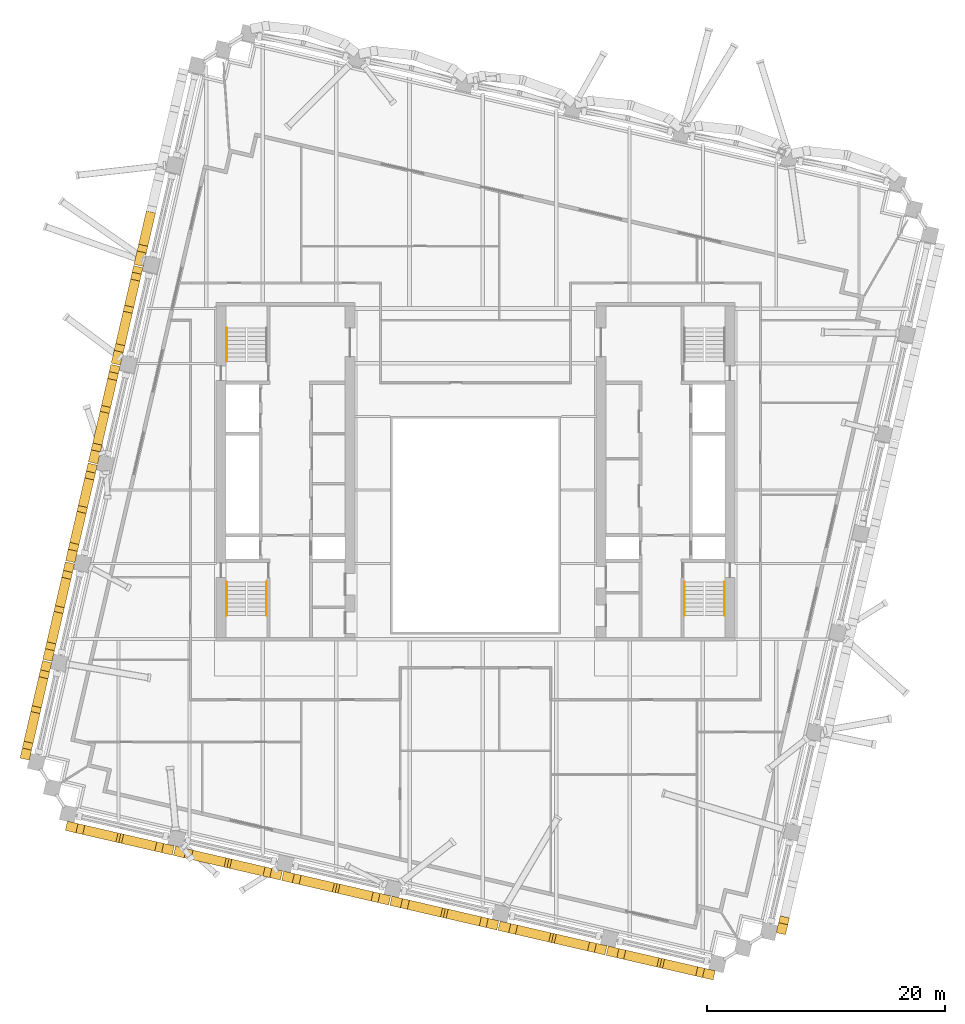
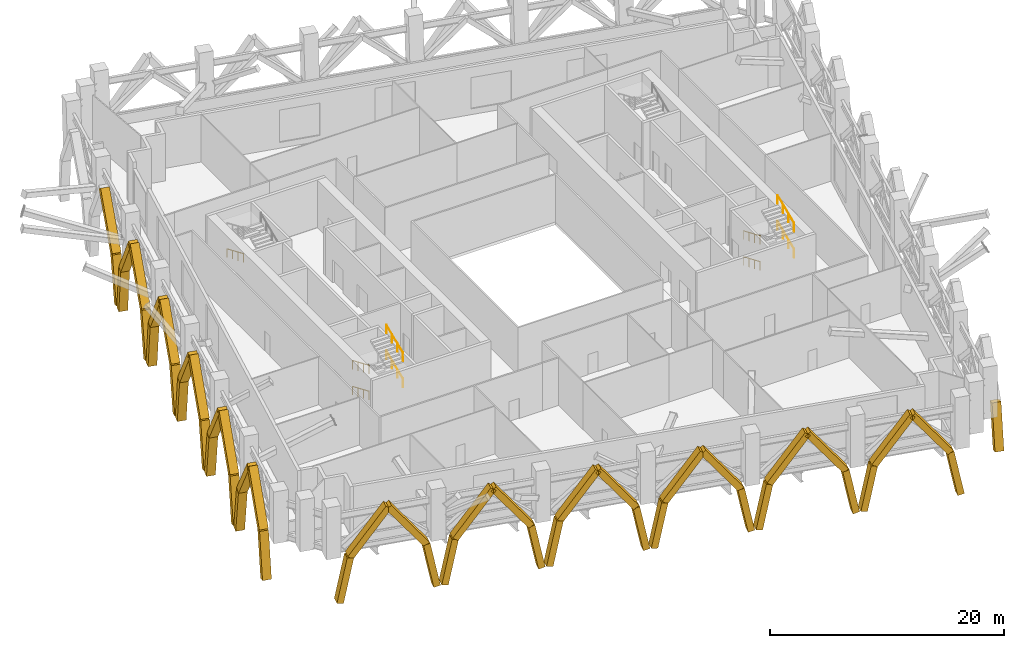
# One storey, part 18 of 20: 47 coverings, 9 railings.
"""IFC4 building model written with IfcOpenShell, lengths in metres."""

import ifcopenshell
import ifcopenshell.guid

model = None  # the IFC model being written
_history = None  # IfcOwnerHistory: only IFC2X3 demands one
_inside = {}  # id of a spatial element -> (the spatial element, [elements in it])
_under = {}  # id of a project, library or spatial element -> (it, [spatial elements below it])
_declared = {}  # id of a project -> (the project, [libraries it declares])
_typed = {}  # id of a type object -> (the type object, [elements of that type])
_made_of = {}  # id of a material, layer set ... -> (it, [elements and type objects made of it])


def new_model(schema):
    """Start an empty IFC model of exactly this schema.

    Asked for "IFC4X3", IfcOpenShell would pick the latest addendum, in which some entities
    have other attributes; the version numbers below select the first issue.
    IFC2X3 requires an IfcOwnerHistory on every rooted entity: one is made here for all.
    """
    global model, _history
    if schema == "IFC4X3":
        model = ifcopenshell.file(schema_version=(4, 3, 0, 0))
    else:
        model = ifcopenshell.file(schema=schema)
    _inside.clear()
    _under.clear()
    _declared.clear()
    _typed.clear()
    _made_of.clear()
    _history = None
    if model.schema == "IFC2X3":
        org = make("IfcOrganization", Name="unknown")
        user = make(
            "IfcPersonAndOrganization",
            ThePerson=make("IfcPerson", FamilyName="unknown"),
            TheOrganization=org,
        )
        app = make(
            "IfcApplication",
            ApplicationDeveloper=org,
            Version="unknown",
            ApplicationFullName="unknown",
            ApplicationIdentifier="unknown",
        )
        _history = make(
            "IfcOwnerHistory",
            OwningUser=user,
            OwningApplication=app,
            ChangeAction="ADDED",
            CreationDate=0,
        )
    return model


def make(cls, **values):
    """One entity of the class cls with the attributes given. An attribute that is None is left unset."""
    return model.create_entity(
        cls, **{name: value for name, value in values.items() if value is not None}
    )


def rooted(cls, **values):
    """An entity with a GlobalId (a new one), such as an element, a storey or a relation."""
    return make(cls, GlobalId=ifcopenshell.guid.new(), OwnerHistory=_history, **values)


def si_unit(unit_type, name, prefix=None):
    """IfcSIUnit, for example si_unit("LENGTHUNIT", "METRE", prefix="MILLI")."""
    return make("IfcSIUnit", UnitType=unit_type, Prefix=prefix, Name=name)


def assignment(units):
    """IfcUnitAssignment: the units of a project."""
    return None if units is None else make("IfcUnitAssignment", Units=units)


def point(xyz):
    """IfcCartesianPoint."""
    return None if xyz is None else make("IfcCartesianPoint", Coordinates=xyz)


def direction(xyz):
    """IfcDirection."""
    return None if xyz is None else make("IfcDirection", DirectionRatios=xyz)


def frame(location, z_axis=None, x_axis=None):
    """IfcAxis2Placement3D, a coordinate frame: its origin and axes. An axis left out is left unset."""
    return make(
        "IfcAxis2Placement3D",
        Location=point(location),
        Axis=direction(z_axis),
        RefDirection=direction(x_axis),
    )


def frame_2d(location, x_axis=None):
    """IfcAxis2Placement2D, a coordinate frame in the plane: its origin and x axis."""
    return make(
        "IfcAxis2Placement2D", Location=point(location), RefDirection=direction(x_axis)
    )


def origin():
    """The frame at (0, 0, 0) with its axes left unset."""
    return frame((0.0, 0.0, 0.0))


def origin_2d():
    """The frame at (0, 0) in the plane with its x axis left unset."""
    return frame_2d((0.0, 0.0))


def place(relative_to, where):
    """IfcLocalPlacement: puts the frame where relative to a parent placement (None: the world)."""
    return make(
        "IfcLocalPlacement", PlacementRelTo=relative_to, RelativePlacement=where
    )


def context(
    kind, dimensions, precision=None, world=None, true_north=None, identifier=None
):
    """IfcGeometricRepresentationContext, for example the 3D "Model" context."""
    return make(
        "IfcGeometricRepresentationContext",
        ContextIdentifier=identifier,
        ContextType=kind,
        CoordinateSpaceDimension=dimensions,
        Precision=precision,
        WorldCoordinateSystem=world,
        TrueNorth=true_north,
    )


def subcontext(parent, identifier, kind, view, scale=None):
    """IfcGeometricRepresentationSubContext, for example "Body" below "Model"."""
    return make(
        "IfcGeometricRepresentationSubContext",
        ContextIdentifier=identifier,
        ContextType=kind,
        ParentContext=parent,
        TargetScale=scale,
        TargetView=view,
    )


def project(units=None, contexts=None):
    """IfcProject with its units and contexts."""
    return rooted(
        "IfcProject",
        Name="project",
        RepresentationContexts=contexts,
        UnitsInContext=assignment(units),
    )


def spatial(cls, under=None, at=None, **own):
    """A site, building, storey or space (cls), placed at a placement, below another one or the project."""
    s = rooted(cls, ObjectPlacement=at, **own)
    if under is not None:
        _under.setdefault(under.id(), (under, []))[1].append(s)
    return s


def profile(cls, at=None, kind="AREA", **sizes):
    """A parametric profile (cls). Its sizes go by their IFC names, for example OverallWidth=200.0."""
    return make(cls, ProfileType=kind, Position=at, **sizes)


def rectangle(**sizes):
    """IfcRectangleProfileDef."""
    return profile("IfcRectangleProfileDef", **sizes)


def circle(**sizes):
    """IfcCircleProfileDef."""
    return profile("IfcCircleProfileDef", **sizes)


def extrude(swept, where, along, depth):
    """IfcExtrudedAreaSolid: the profile swept, set in the frame where, extruded along a direction by depth."""
    return make(
        "IfcExtrudedAreaSolid",
        SweptArea=swept,
        Position=where,
        ExtrudedDirection=direction(along),
        Depth=depth,
    )


def shape(context_of_items, identifier, shape_type, items):
    """IfcShapeRepresentation: the items that make up one representation, for example the "Body"."""
    return make(
        "IfcShapeRepresentation",
        ContextOfItems=context_of_items,
        RepresentationIdentifier=identifier,
        RepresentationType=shape_type,
        Items=items,
    )


def material(Name=None, Category=None):
    """IfcMaterial."""
    return make("IfcMaterial", Name=Name, Category=Category)


def material_profile(
    of_material, cross_section, Name=None, Category=None, Priority=None
):
    """IfcMaterialProfile: a cross section and its material."""
    return make(
        "IfcMaterialProfile",
        Name=Name,
        Material=of_material,
        Profile=cross_section,
        Priority=Priority,
        Category=Category,
    )


def profile_set(profiles, Name=None, composite=None):
    """IfcMaterialProfileSet."""
    return make(
        "IfcMaterialProfileSet",
        Name=Name,
        MaterialProfiles=profiles,
        CompositeProfile=composite,
    )


def made_of(thing, what):
    """Note that an element or type object is made of a material, layer set ...; save() writes the relation."""
    if what is not None:
        _made_of.setdefault(what.id(), (what, []))[1].append(thing)
    return thing


def type_object(cls, material=None, **own):
    """A type object (cls), such as IfcWallType, which elements share."""
    return made_of(rooted(cls, **own), material)


def element(
    cls,
    number,
    at=None,
    inside=None,
    cuts=None,
    type_object=None,
    material=None,
    context=None,
    identifier="Body",
    shape_type=None,
    held_by="IfcProductDefinitionShape",
    body=None,
    shapes=None,
    **own,
):
    """One element of the class cls, such as IfcWall. Its Tag is "e" and its number.

    at: its placement. inside: the storey or other place that contains it. cuts: it is an
    opening in that element (IfcRelVoidsElement). A single representation is given by context,
    identifier, shape_type and body (its items); several are given by shapes. held_by: the class
    of the entity that holds the representations. save() writes the other relations.
    """
    e = rooted(cls, Tag="e%d" % number, ObjectPlacement=at, **own)
    if body is not None:
        shapes = [shape(context, identifier, shape_type, body)]
    if shapes is not None:
        e.Representation = make(held_by, Representations=shapes)
    if inside is not None:
        _inside.setdefault(inside.id(), (inside, []))[1].append(e)
    if cuts is not None:
        rooted(
            "IfcRelVoidsElement", RelatingBuildingElement=cuts, RelatedOpeningElement=e
        )
    if type_object is not None:
        _typed.setdefault(type_object.id(), (type_object, []))[1].append(e)
    return made_of(e, material)


def aggregate(whole, parts):
    """IfcRelAggregates: a whole, such as a stair, and the parts it consists of."""
    return rooted("IfcRelAggregates", RelatingObject=whole, RelatedObjects=parts)


def save(model, path):
    """Write the relations noted so far, then the file.

    IfcRelAggregates (storeys below a building ...), IfcRelContainedInSpatialStructure (elements
    in a storey), IfcRelDefinesByType, IfcRelAssociatesMaterial and IfcRelDeclares: one each for
    every whole, place, type object, material and project.
    """
    for whole, parts in _under.values():
        aggregate(whole, parts)
    for where, things in _inside.values():
        rooted(
            "IfcRelContainedInSpatialStructure",
            RelatedElements=things,
            RelatingStructure=where,
        )
    for kind, things in _typed.values():
        rooted("IfcRelDefinesByType", RelatedObjects=things, RelatingType=kind)
    for what, things in _made_of.values():
        rooted("IfcRelAssociatesMaterial", RelatedObjects=things, RelatingMaterial=what)
    for by, libraries in _declared.values():
        rooted("IfcRelDeclares", RelatingContext=by, RelatedDefinitions=libraries)
    model.write(path)


model = new_model("IFC4")

# Units and contexts
model_context = context("Model", 3, precision=1e-05, world=origin(), true_north=direction((0.0, 1.0)))
body_context = subcontext(model_context, "Body", "Model", "MODEL_VIEW")
ifc_project = project(units=[si_unit("LENGTHUNIT", "METRE"), si_unit("AREAUNIT", "SQUARE_METRE"), si_unit("VOLUMEUNIT", "CUBIC_METRE"), si_unit("PLANEANGLEUNIT", "RADIAN"), si_unit("MASSUNIT", "GRAM", prefix="KILO")], contexts=[model_context])

# Site, building, storey
site_placement = place(None, origin())
site = spatial("IfcSite", under=ifc_project, at=site_placement, CompositionType="ELEMENT")
building_placement = place(site_placement, origin())
building = spatial("IfcBuilding", under=site, at=building_placement, Name="Ogive Exchange Tower", CompositionType="ELEMENT")
storey_placement = place(building_placement, frame((0.0, 0.0, 160.199951171875)))
storey = spatial("IfcBuildingStorey", under=building, at=storey_placement, Name="L35", CompositionType="ELEMENT", Elevation=160.199951171875)

# Coverings
ifc_material_1 = material(Name="Precast concrete C50/60", Category="concrete")
ifc_material_profile = material_profile(ifc_material_1, rectangle(XDim=0.800048828125, YDim=0.60009765625, at=origin_2d()), Name="RIB 800 x 600")
ifc_profile_set = profile_set([ifc_material_profile], Name="Precast concrete C50/60")
covering_type = type_object("IfcCoveringType", Name="Precast tracery rib 800 x 600 C50/60", PredefinedType="CLADDING", material=ifc_profile_set)
covering_1_placement = place(storey_placement, frame((-34.173095703125, -18.3798828125, -4.199951171875), z_axis=(0.192814839344, -0.044600923012, 0.980220993141), x_axis=(0.225364121132, 0.974274608571, 0.0)))
element("IfcCovering", 1, at=covering_1_placement, inside=storey, type_object=covering_type, Name="Tracery rib 1a", PredefinedType="CLADDING", context=body_context, shape_type="SweptSolid", body=[
    extrude(rectangle(XDim=0.800048828125, YDim=0.60009765625, at=origin_2d()), origin(), (0.0, 0.0, 1.0), 4.641845703125),
])
covering_2_placement = place(storey_placement, frame((-33.278076171875, -18.5869140625, 0.35009765625), z_axis=(0.583950490841, -0.134787542498, 0.800521169386), x_axis=(0.224906616658, 0.974380322966, 0.0)))
element("IfcCovering", 2, at=covering_2_placement, inside=storey, type_object=covering_type, Name="Tracery rib 1a", PredefinedType="CLADDING", context=body_context, shape_type="SweptSolid", body=[
    extrude(rectangle(XDim=0.800048828125, YDim=0.60009765625, at=origin_2d()), origin(), (0.0, 0.0, 1.0), 5.683837890625),
])
covering_3_placement = place(storey_placement, frame((-25.743896484375, -20.325927734375, -4.199951171875), z_axis=(-0.192817094246, 0.044338464389, 0.980232456483), x_axis=(-0.224102245804, -0.974565638336, 0.0)))
element("IfcCovering", 3, at=covering_3_placement, inside=storey, type_object=covering_type, Name="Tracery rib 1b", PredefinedType="CLADDING", context=body_context, shape_type="SweptSolid", body=[
    extrude(rectangle(XDim=0.800048828125, YDim=0.60009765625, at=origin_2d()), origin(), (0.0, 0.0, 1.0), 4.641845703125),
])
covering_4_placement = place(storey_placement, frame((-26.638916015625, -20.1201171875, 0.35009765625), z_axis=(-0.584050167734, 0.134942688949, 0.800422308703), x_axis=(-0.225115899739, -0.974331992539, 0.0)))
element("IfcCovering", 4, at=covering_4_placement, inside=storey, type_object=covering_type, Name="Tracery rib 1b", PredefinedType="CLADDING", context=body_context, shape_type="SweptSolid", body=[
    extrude(rectangle(XDim=0.800048828125, YDim=0.60009765625, at=origin_2d()), origin(), (0.0, 0.0, 1.0), 5.6845703125),
])
covering_5_placement = place(storey_placement, frame((-25.06201171875, -20.48388671875, -4.199951171875), z_axis=(0.192614070021, -0.044392756717, 0.980269913432), x_axis=(0.224587419345, 0.974453945075, 0.0)))
element("IfcCovering", 5, at=covering_5_placement, inside=storey, type_object=covering_type, Name="Tracery rib 2a", PredefinedType="CLADDING", context=body_context, shape_type="SweptSolid", body=[
    extrude(rectangle(XDim=0.800048828125, YDim=0.60009765625, at=origin_2d()), origin(), (0.0, 0.0, 1.0), 4.6416015625),
])
covering_6_placement = place(storey_placement, frame((-24.16796875, -20.68994140625, 0.35009765625), z_axis=(0.584050167734, -0.134942688949, 0.800422308703), x_axis=(0.225115899739, 0.974331992539, 0.0)))
element("IfcCovering", 6, at=covering_6_placement, inside=storey, type_object=covering_type, Name="Tracery rib 2a", PredefinedType="CLADDING", context=body_context, shape_type="SweptSolid", body=[
    extrude(rectangle(XDim=0.800048828125, YDim=0.60009765625, at=origin_2d()), origin(), (0.0, 0.0, 1.0), 5.6845703125),
])
covering_7_placement = place(storey_placement, frame((-16.634033203125, -22.429931640625, -4.199951171875), z_axis=(-0.192612266789, 0.044602731359, 0.980260736252), x_axis=(-0.225597764277, -0.974220533941, 0.0)))
element("IfcCovering", 7, at=covering_7_placement, inside=storey, type_object=covering_type, Name="Tracery rib 2b", PredefinedType="CLADDING", context=body_context, shape_type="SweptSolid", body=[
    extrude(rectangle(XDim=0.800048828125, YDim=0.60009765625, at=origin_2d()), origin(), (0.0, 0.0, 1.0), 4.6416015625),
])
covering_8_placement = place(storey_placement, frame((-17.528076171875, -22.222900390625, 0.35009765625), z_axis=(-0.584038780518, 0.134735229775, 0.800465564974), x_axis=(-0.22479147121, -0.97440689369, 0.0)))
element("IfcCovering", 8, at=covering_8_placement, inside=storey, type_object=covering_type, Name="Tracery rib 2b", PredefinedType="CLADDING", context=body_context, shape_type="SweptSolid", body=[
    extrude(rectangle(XDim=0.800048828125, YDim=0.60009765625, at=origin_2d()), origin(), (0.0, 0.0, 1.0), 5.684326171875),
])
covering_9_placement = place(storey_placement, frame((-15.951904296875, -22.5869140625, -4.199951171875), z_axis=(0.192561619802, -0.044603183172, 0.980270666005), x_axis=(0.225656248748, 0.974206988992, 0.0)))
element("IfcCovering", 9, at=covering_9_placement, inside=storey, type_object=covering_type, Name="Tracery rib 3a", PredefinedType="CLADDING", context=body_context, shape_type="SweptSolid", body=[
    extrude(rectangle(XDim=0.800048828125, YDim=0.60009765625, at=origin_2d()), origin(), (0.0, 0.0, 1.0), 4.6416015625),
])
covering_10_placement = place(storey_placement, frame((-15.05810546875, -22.7939453125, 0.35009765625), z_axis=(0.584063699087, -0.134774019247, 0.800440852996), x_axis=(0.224843807648, 0.974394818419, 0.0)))
element("IfcCovering", 10, at=covering_10_placement, inside=storey, type_object=covering_type, Name="Tracery rib 3a", PredefinedType="CLADDING", context=body_context, shape_type="SweptSolid", body=[
    extrude(rectangle(XDim=0.800048828125, YDim=0.60009765625, at=origin_2d()), origin(), (0.0, 0.0, 1.0), 5.684326171875),
])
covering_11_placement = place(storey_placement, frame((-7.52392578125, -24.532958984375, -4.199951171875), z_axis=(-0.192612266789, 0.044602731359, 0.980260736252), x_axis=(-0.225597764277, -0.974220533941, 0.0)))
element("IfcCovering", 11, at=covering_11_placement, inside=storey, type_object=covering_type, Name="Tracery rib 3b", PredefinedType="CLADDING", context=body_context, shape_type="SweptSolid", body=[
    extrude(rectangle(XDim=0.800048828125, YDim=0.60009765625, at=origin_2d()), origin(), (0.0, 0.0, 1.0), 4.6416015625),
])
covering_12_placement = place(storey_placement, frame((-8.41796875, -24.325927734375, 0.35009765625), z_axis=(-0.584067079379, 0.13473184999, 0.800445485579), x_axis=(-0.224775776403, -0.974410514282, 0.0)))
element("IfcCovering", 12, at=covering_12_placement, inside=storey, type_object=covering_type, Name="Tracery rib 3b", PredefinedType="CLADDING", context=body_context, shape_type="SweptSolid", body=[
    extrude(rectangle(XDim=0.800048828125, YDim=0.60009765625, at=origin_2d()), origin(), (0.0, 0.0, 1.0), 5.684326171875),
])
covering_13_placement = place(storey_placement, frame((-6.842041015625, -24.68994140625, -4.199951171875), z_axis=(0.192814839344, -0.044600923012, 0.980220993141), x_axis=(0.225364121132, 0.974274608571, 0.0)))
element("IfcCovering", 13, at=covering_13_placement, inside=storey, type_object=covering_type, Name="Tracery rib 4a", PredefinedType="CLADDING", context=body_context, shape_type="SweptSolid", body=[
    extrude(rectangle(XDim=0.800048828125, YDim=0.60009765625, at=origin_2d()), origin(), (0.0, 0.0, 1.0), 4.641845703125),
])
covering_14_placement = place(storey_placement, frame((-5.947021484375, -24.89697265625, 0.35009765625), z_axis=(0.583950490841, -0.134787542498, 0.800521169386), x_axis=(0.224906616658, 0.974380322966, 0.0)))
element("IfcCovering", 14, at=covering_14_placement, inside=storey, type_object=covering_type, Name="Tracery rib 4a", PredefinedType="CLADDING", context=body_context, shape_type="SweptSolid", body=[
    extrude(rectangle(XDim=0.800048828125, YDim=0.60009765625, at=origin_2d()), origin(), (0.0, 0.0, 1.0), 5.683837890625),
])
covering_15_placement = place(storey_placement, frame((1.5869140625, -26.635986328125, -4.199951171875), z_axis=(-0.192816644326, 0.04439095685, 0.980230169206), x_axis=(-0.224354711282, -0.97450754924, 0.0)))
element("IfcCovering", 15, at=covering_15_placement, inside=storey, type_object=covering_type, Name="Tracery rib 4b", PredefinedType="CLADDING", context=body_context, shape_type="SweptSolid", body=[
    extrude(rectangle(XDim=0.800048828125, YDim=0.60009765625, at=origin_2d()), origin(), (0.0, 0.0, 1.0), 4.641845703125),
])
covering_16_placement = place(storey_placement, frame((0.69189453125, -26.429931640625, 0.35009765625), z_axis=(-0.584025253215, 0.134903906483, 0.80044702487), x_axis=(-0.225063593432, -0.974344076244, 0.0)))
element("IfcCovering", 16, at=covering_16_placement, inside=storey, type_object=covering_type, Name="Tracery rib 4b", PredefinedType="CLADDING", context=body_context, shape_type="SweptSolid", body=[
    extrude(rectangle(XDim=0.800048828125, YDim=0.60009765625, at=origin_2d()), origin(), (0.0, 0.0, 1.0), 5.684326171875),
])
covering_17_placement = place(storey_placement, frame((2.26904296875, -26.7939453125, -4.199951171875), z_axis=(0.192614070021, -0.044392756717, 0.980269913432), x_axis=(0.224587419345, 0.974453945075, 0.0)))
element("IfcCovering", 17, at=covering_17_placement, inside=storey, type_object=covering_type, Name="Tracery rib 5a", PredefinedType="CLADDING", context=body_context, shape_type="SweptSolid", body=[
    extrude(rectangle(XDim=0.800048828125, YDim=0.60009765625, at=origin_2d()), origin(), (0.0, 0.0, 1.0), 4.6416015625),
])
covering_18_placement = place(storey_placement, frame((3.1630859375, -27.0, 0.35009765625), z_axis=(0.584021868843, -0.134946073827, 0.800442386353), x_axis=(0.225131615762, 0.974328361275, 0.0)))
element("IfcCovering", 18, at=covering_18_placement, inside=storey, type_object=covering_type, Name="Tracery rib 5a", PredefinedType="CLADDING", context=body_context, shape_type="SweptSolid", body=[
    extrude(rectangle(XDim=0.800048828125, YDim=0.60009765625, at=origin_2d()), origin(), (0.0, 0.0, 1.0), 5.684326171875),
])
covering_19_placement = place(storey_placement, frame((10.697021484375, -28.739013671875, -4.199951171875), z_axis=(-0.192614070021, 0.044392756717, 0.980269913432), x_axis=(-0.224587419345, -0.974453945075, 0.0)))
element("IfcCovering", 19, at=covering_19_placement, inside=storey, type_object=covering_type, Name="Tracery rib 5b", PredefinedType="CLADDING", context=body_context, shape_type="SweptSolid", body=[
    extrude(rectangle(XDim=0.800048828125, YDim=0.60009765625, at=origin_2d()), origin(), (0.0, 0.0, 1.0), 4.6416015625),
])
covering_20_placement = place(storey_placement, frame((9.802978515625, -28.532958984375, 0.35009765625), z_axis=(-0.584067079379, 0.13473184999, 0.800445485579), x_axis=(-0.224775776403, -0.974410514282, 0.0)))
element("IfcCovering", 20, at=covering_20_placement, inside=storey, type_object=covering_type, Name="Tracery rib 5b", PredefinedType="CLADDING", context=body_context, shape_type="SweptSolid", body=[
    extrude(rectangle(XDim=0.800048828125, YDim=0.60009765625, at=origin_2d()), origin(), (0.0, 0.0, 1.0), 5.684326171875),
])
covering_21_placement = place(storey_placement, frame((11.37890625, -28.89697265625, -4.199951171875), z_axis=(0.192614070021, -0.044392756717, 0.980269913432), x_axis=(0.224587419345, 0.974453945075, 0.0)))
element("IfcCovering", 21, at=covering_21_placement, inside=storey, type_object=covering_type, Name="Tracery rib 6a", PredefinedType="CLADDING", context=body_context, shape_type="SweptSolid", body=[
    extrude(rectangle(XDim=0.800048828125, YDim=0.60009765625, at=origin_2d()), origin(), (0.0, 0.0, 1.0), 4.6416015625),
])
covering_22_placement = place(storey_placement, frame((12.27294921875, -29.10302734375, 0.35009765625), z_axis=(0.584050167734, -0.134942688949, 0.800422308703), x_axis=(0.225115899739, 0.974331992539, 0.0)))
element("IfcCovering", 22, at=covering_22_placement, inside=storey, type_object=covering_type, Name="Tracery rib 6a", PredefinedType="CLADDING", context=body_context, shape_type="SweptSolid", body=[
    extrude(rectangle(XDim=0.800048828125, YDim=0.60009765625, at=origin_2d()), origin(), (0.0, 0.0, 1.0), 5.6845703125),
])
covering_23_placement = place(storey_placement, frame((19.806884765625, -30.843017578125, -4.199951171875), z_axis=(-0.192561619802, 0.044603183172, 0.980270666005), x_axis=(-0.225656248748, -0.974206988992, 0.0)))
element("IfcCovering", 23, at=covering_23_placement, inside=storey, type_object=covering_type, Name="Tracery rib 6b", PredefinedType="CLADDING", context=body_context, shape_type="SweptSolid", body=[
    extrude(rectangle(XDim=0.800048828125, YDim=0.60009765625, at=origin_2d()), origin(), (0.0, 0.0, 1.0), 4.6416015625),
])
covering_24_placement = place(storey_placement, frame((18.9130859375, -30.635986328125, 0.35009765625), z_axis=(-0.584067079379, 0.13473184999, 0.800445485579), x_axis=(-0.224775776403, -0.974410514282, 0.0)))
element("IfcCovering", 24, at=covering_24_placement, inside=storey, type_object=covering_type, Name="Tracery rib 6b", PredefinedType="CLADDING", context=body_context, shape_type="SweptSolid", body=[
    extrude(rectangle(XDim=0.800048828125, YDim=0.60009765625, at=origin_2d()), origin(), (0.0, 0.0, 1.0), 5.684326171875),
])
covering_25_placement = place(storey_placement, frame((25.780029296875, -27.111083984375, -4.199951171875), z_axis=(0.041911224351, 0.181404431438, 0.982515079542), x_axis=(-0.974333896935, 0.225107657095, 0.0)))
element("IfcCovering", 25, at=covering_25_placement, inside=storey, type_object=covering_type, Name="Tracery rib 9a", PredefinedType="CLADDING", context=body_context, shape_type="SweptSolid", body=[
    extrude(rectangle(XDim=0.800048828125, YDim=0.60009765625, at=origin_2d()), origin(), (0.0, 0.0, 1.0), 4.631103515625),
])
covering_26_placement = place(storey_placement, frame((-28.30810546875, 29.160888671875, -4.199951171875), z_axis=(0.055379764165, 0.240290976718, 0.969119872992), x_axis=(-0.97445512969, 0.224582279403, 0.0)))
element("IfcCovering", 26, at=covering_26_placement, inside=storey, type_object=covering_type, Name="Tracery rib 27b", PredefinedType="CLADDING", context=body_context, shape_type="SweptSolid", body=[
    extrude(rectangle(XDim=0.800048828125, YDim=0.60009765625, at=origin_2d()), origin(), (0.0, 0.0, 1.0), 4.695068359375),
])
covering_27_placement = place(storey_placement, frame((-28.048095703125, 30.2890625, 0.35009765625), z_axis=(0.134929149494, 0.584163342001, 0.800341998447), x_axis=(-0.974346509992, 0.225053057002, 0.0)))
element("IfcCovering", 27, at=covering_27_placement, inside=storey, type_object=covering_type, Name="Tracery rib 27b", PredefinedType="CLADDING", context=body_context, shape_type="SweptSolid", body=[
    extrude(rectangle(XDim=0.800048828125, YDim=0.60009765625, at=origin_2d()), origin(), (0.0, 0.0, 1.0), 5.68505859375),
])
covering_28_placement = place(storey_placement, frame((-28.465087890625, 28.47900390625, -4.199951171875), z_axis=(-0.027900596905, -0.120387880919, 0.992334779608), x_axis=(0.974180178258, -0.22577196524, 0.0)))
element("IfcCovering", 28, at=covering_28_placement, inside=storey, type_object=covering_type, Name="Tracery rib 28a", PredefinedType="CLADDING", context=body_context, shape_type="SweptSolid", body=[
    extrude(rectangle(XDim=0.800048828125, YDim=0.60009765625, at=origin_2d()), origin(), (0.0, 0.0, 1.0), 4.585205078125),
])
covering_29_placement = place(storey_placement, frame((-28.593017578125, 27.927001953125, 0.35009765625), z_axis=(-0.118462313546, -0.513078206688, 0.850127892785), x_axis=(0.974366370023, -0.224967057517, 0.0)))
element("IfcCovering", 29, at=covering_29_placement, inside=storey, type_object=covering_type, Name="Tracery rib 28a", PredefinedType="CLADDING", context=body_context, shape_type="SweptSolid", body=[
    extrude(rectangle(XDim=0.800048828125, YDim=0.60009765625, at=origin_2d()), origin(), (0.0, 0.0, 1.0), 5.352294921875),
])
covering_30_placement = place(storey_placement, frame((-30.22705078125, 20.846923828125, -4.199951171875), z_axis=(0.052784808, 0.228612463899, 0.972085441406), x_axis=(-0.974364962014, 0.224973155729, 0.0)))
element("IfcCovering", 30, at=covering_30_placement, inside=storey, type_object=covering_type, Name="Tracery rib 28b", PredefinedType="CLADDING", context=body_context, shape_type="SweptSolid", body=[
    extrude(rectangle(XDim=0.800048828125, YDim=0.60009765625, at=origin_2d()), origin(), (0.0, 0.0, 1.0), 4.6806640625),
])
covering_31_placement = place(storey_placement, frame((-29.97998046875, 21.9169921875, 0.35009765625), z_axis=(0.133260857968, 0.577679769834, 0.805312130331), x_axis=(-0.974409618596, 0.224779659193, 0.0)))
element("IfcCovering", 31, at=covering_31_placement, inside=storey, type_object=covering_type, Name="Tracery rib 28b", PredefinedType="CLADDING", context=body_context, shape_type="SweptSolid", body=[
    extrude(rectangle(XDim=0.800048828125, YDim=0.60009765625, at=origin_2d()), origin(), (0.0, 0.0, 1.0), 5.650146484375),
])
covering_32_placement = place(storey_placement, frame((-30.385009765625, 20.1650390625, -4.199951171875), z_axis=(-0.03045929082, -0.132628151129, 0.990697736512), x_axis=(0.974627667286, -0.223832325994, 0.0)))
element("IfcCovering", 32, at=covering_32_placement, inside=storey, type_object=covering_type, Name="Tracery rib 29a", PredefinedType="CLADDING", context=body_context, shape_type="SweptSolid", body=[
    extrude(rectangle(XDim=0.800048828125, YDim=0.60009765625, at=origin_2d()), origin(), (0.0, 0.0, 1.0), 4.5927734375),
])
covering_33_placement = place(storey_placement, frame((-30.52490234375, 19.555908203125, 0.35009765625), z_axis=(-0.120397080095, -0.520813734423, 0.845137620238), x_axis=(0.97430533875, -0.225231229811, 0.0)))
element("IfcCovering", 33, at=covering_33_placement, inside=storey, type_object=covering_type, Name="Tracery rib 29a", PredefinedType="CLADDING", context=body_context, shape_type="SweptSolid", body=[
    extrude(rectangle(XDim=0.800048828125, YDim=0.60009765625, at=origin_2d()), origin(), (0.0, 0.0, 1.0), 5.3837890625),
])
covering_34_placement = place(storey_placement, frame((-32.14697265625, 12.532958984375, -4.199951171875), z_axis=(0.050111776665, 0.21702897848, 0.974878060241), x_axis=(-0.974363482105, 0.224979565162, 0.0)))
element("IfcCovering", 34, at=covering_34_placement, inside=storey, type_object=covering_type, Name="Tracery rib 29b", PredefinedType="CLADDING", context=body_context, shape_type="SweptSolid", body=[
    extrude(rectangle(XDim=0.800048828125, YDim=0.60009765625, at=origin_2d()), origin(), (0.0, 0.0, 1.0), 4.667236328125),
])
covering_35_placement = place(storey_placement, frame((-31.9130859375, 13.5458984375, 0.35009765625), z_axis=(0.131785828146, 0.570970470211, 0.810324143567), x_axis=(-0.974382441131, 0.224897439771, 0.0)))
element("IfcCovering", 35, at=covering_35_placement, inside=storey, type_object=covering_type, Name="Tracery rib 29b", PredefinedType="CLADDING", context=body_context, shape_type="SweptSolid", body=[
    extrude(rectangle(XDim=0.800048828125, YDim=0.60009765625, at=origin_2d()), origin(), (0.0, 0.0, 1.0), 5.614990234375),
])
covering_36_placement = place(storey_placement, frame((-32.303955078125, 11.85107421875, -4.199951171875), z_axis=(-0.033481613837, -0.144750939061, 0.988901485071), x_axis=(0.974276704753, -0.225355058907, 0.0)))
element("IfcCovering", 36, at=covering_36_placement, inside=storey, type_object=covering_type, Name="Tracery rib 30a", PredefinedType="CLADDING", context=body_context, shape_type="SweptSolid", body=[
    extrude(rectangle(XDim=0.800048828125, YDim=0.60009765625, at=origin_2d()), origin(), (0.0, 0.0, 1.0), 4.60107421875),
])
covering_37_placement = place(storey_placement, frame((-32.4580078125, 11.18505859375, 0.35009765625), z_axis=(-0.122029285311, -0.528462989178, 0.840140299352), x_axis=(0.97436036852, -0.224993049355, 0.0)))
element("IfcCovering", 37, at=covering_37_placement, inside=storey, type_object=covering_type, Name="Tracery rib 30a", PredefinedType="CLADDING", context=body_context, shape_type="SweptSolid", body=[
    extrude(rectangle(XDim=0.800048828125, YDim=0.60009765625, at=origin_2d()), origin(), (0.0, 0.0, 1.0), 5.415771484375),
])
covering_38_placement = place(storey_placement, frame((-34.06591796875, 4.219970703125, -4.199951171875), z_axis=(0.047262769155, 0.204997671317, 0.977620675623), x_axis=(-0.974437401851, 0.224659186046, 0.0)))
element("IfcCovering", 38, at=covering_38_placement, inside=storey, type_object=covering_type, Name="Tracery rib 30b", PredefinedType="CLADDING", context=body_context, shape_type="SweptSolid", body=[
    extrude(rectangle(XDim=0.800048828125, YDim=0.60009765625, at=origin_2d()), origin(), (0.0, 0.0, 1.0), 4.654296875),
])
covering_39_placement = place(storey_placement, frame((-33.845947265625, 5.174072265625, 0.35009765625), z_axis=(0.13027307867, 0.564225039855, 0.815278498045), x_axis=(-0.974365725197, 0.224969850336, 0.0)))
element("IfcCovering", 39, at=covering_39_placement, inside=storey, type_object=covering_type, Name="Tracery rib 30b", PredefinedType="CLADDING", context=body_context, shape_type="SweptSolid", body=[
    extrude(rectangle(XDim=0.800048828125, YDim=0.60009765625, at=origin_2d()), origin(), (0.0, 0.0, 1.0), 5.5810546875),
])
covering_40_placement = place(storey_placement, frame((-34.22412109375, 3.5380859375, -4.199951171875), z_axis=(-0.036220069626, -0.157271354955, 0.986890990671), x_axis=(0.974490639615, -0.224428147305, 0.0)))
element("IfcCovering", 40, at=covering_40_placement, inside=storey, type_object=covering_type, Name="Tracery rib 31a", PredefinedType="CLADDING", context=body_context, shape_type="SweptSolid", body=[
    extrude(rectangle(XDim=0.800048828125, YDim=0.60009765625, at=origin_2d()), origin(), (0.0, 0.0, 1.0), 4.610595703125),
])
covering_41_placement = place(storey_placement, frame((-34.39111328125, 2.81298828125, 0.35009765625), z_axis=(-0.123690814625, -0.53581426799, 0.835226707305), x_axis=(0.974374710595, -0.224930930181, 0.0)))
element("IfcCovering", 41, at=covering_41_placement, inside=storey, type_object=covering_type, Name="Tracery rib 31a", PredefinedType="CLADDING", context=body_context, shape_type="SweptSolid", body=[
    extrude(rectangle(XDim=0.800048828125, YDim=0.60009765625, at=origin_2d()), origin(), (0.0, 0.0, 1.0), 5.44775390625),
])
covering_42_placement = place(storey_placement, frame((-35.985107421875, -4.093994140625, -4.199951171875), z_axis=(0.044597301058, 0.19321991048, 0.980141391296), x_axis=(-0.974382255255, 0.224898245089, 0.0)))
element("IfcCovering", 42, at=covering_42_placement, inside=storey, type_object=covering_type, Name="Tracery rib 31b", PredefinedType="CLADDING", context=body_context, shape_type="SweptSolid", body=[
    extrude(rectangle(XDim=0.800048828125, YDim=0.60009765625, at=origin_2d()), origin(), (0.0, 0.0, 1.0), 4.642333984375),
])
covering_43_placement = place(storey_placement, frame((-35.778076171875, -3.197021484375, 0.35009765625), z_axis=(0.128568561717, 0.557277151624, 0.820312319313), x_axis=(-0.974404165041, 0.224803298798, 0.0)))
element("IfcCovering", 43, at=covering_43_placement, inside=storey, type_object=covering_type, Name="Tracery rib 31b", PredefinedType="CLADDING", context=body_context, shape_type="SweptSolid", body=[
    extrude(rectangle(XDim=0.800048828125, YDim=0.60009765625, at=origin_2d()), origin(), (0.0, 0.0, 1.0), 5.546630859375),
])
covering_44_placement = place(storey_placement, frame((-36.14306640625, -4.77587890625, -4.199951171875), z_axis=(-0.038943689996, -0.169302011867, 0.98479450536), x_axis=(0.974549870864, -0.224170803629, 0.0)))
element("IfcCovering", 44, at=covering_44_placement, inside=storey, type_object=covering_type, Name="Tracery rib 32a", PredefinedType="CLADDING", context=body_context, shape_type="SweptSolid", body=[
    extrude(rectangle(XDim=0.800048828125, YDim=0.60009765625, at=origin_2d()), origin(), (0.0, 0.0, 1.0), 4.620361328125),
])
covering_45_placement = place(storey_placement, frame((-36.322998046875, -5.55810546875, 0.35009765625), z_axis=(-0.125542303416, -0.54302169494, 0.830281018016), x_axis=(0.974300856001, -0.225250620413, 0.0)))
element("IfcCovering", 45, at=covering_45_placement, inside=storey, type_object=covering_type, Name="Tracery rib 32a", PredefinedType="CLADDING", context=body_context, shape_type="SweptSolid", body=[
    extrude(rectangle(XDim=0.800048828125, YDim=0.60009765625, at=origin_2d()), origin(), (0.0, 0.0, 1.0), 5.480224609375),
])
covering_46_placement = place(storey_placement, frame((-37.905029296875, -12.407958984375, -4.199951171875), z_axis=(0.041911625112, 0.181353447024, 0.98252447447), x_axis=(-0.974319542589, 0.225169778011, 0.0)))
element("IfcCovering", 46, at=covering_46_placement, inside=storey, type_object=covering_type, Name="Tracery rib 32b", PredefinedType="CLADDING", context=body_context, shape_type="SweptSolid", body=[
    extrude(rectangle(XDim=0.800048828125, YDim=0.60009765625, at=origin_2d()), origin(), (0.0, 0.0, 1.0), 4.630859375),
])
covering_47_placement = place(storey_placement, frame((-37.7109375, -11.568115234375, 0.35009765625), z_axis=(0.126951320402, 0.550314269257, 0.825250002908), x_axis=(-0.974408371317, 0.224785066025, 0.0)))
element("IfcCovering", 47, at=covering_47_placement, inside=storey, type_object=covering_type, Name="Tracery rib 32b", PredefinedType="CLADDING", context=body_context, shape_type="SweptSolid", body=[
    extrude(rectangle(XDim=0.800048828125, YDim=0.60009765625, at=origin_2d()), origin(), (0.0, 0.0, 1.0), 5.513427734375),
])

# Railings
ifc_material_2 = material(Name="Stainless steel", Category="steel")
railing_type = type_object("IfcRailingType", Name="Stair handrail 900", PredefinedType="HANDRAIL", material=ifc_material_2)
railing_1_placement = place(storey_placement, frame((-20.949951171875, 2.199951171875, 0.150146484375)))
element("IfcRailing", 48, at=railing_1_placement, inside=storey, type_object=railing_type, Name="L35 ST1 stair handrail 1", PredefinedType="HANDRAIL", context=body_context, shape_type="SweptSolid", body=[
    extrude(circle(Radius=0.02392578125, at=origin_2d()), frame((0.0, 0.0, 0.8759765625), z_axis=(0.0, -0.919549827119, 0.392973428423), x_axis=(1.0, 0.0, 0.0)), (0.0, 0.0, 1.0), 3.053466796875),
    extrude(circle(Radius=0.02099609375, at=origin_2d()), origin(), (0.0, 0.0, 1.0), 0.851806640625),
    extrude(circle(Radius=0.02099609375, at=origin_2d()), frame((0.0, -0.93603515625, 0.39990234375)), (0.0, 0.0, 1.0), 0.851806640625),
    extrude(circle(Radius=0.02099609375, at=origin_2d()), frame((0.0, -1.871826171875, 0.800048828125)), (0.0, 0.0, 1.0), 0.851806640625),
    extrude(circle(Radius=0.02099609375, at=origin_2d()), frame((0.0, -2.807861328125, 1.199951171875)), (0.0, 0.0, 1.0), 0.851806640625),
])
railing_2_placement = place(storey_placement, frame((-17.60009765625, -0.60791015625, 1.5)))
element("IfcRailing", 49, at=railing_2_placement, inside=storey, type_object=railing_type, Name="L35 ST1 stair handrail 2", PredefinedType="HANDRAIL", context=body_context, shape_type="SweptSolid", body=[
    extrude(circle(Radius=0.02392578125, at=origin_2d()), frame((0.0, 0.0, 0.8759765625), z_axis=(0.0, 0.919549827119, 0.392973428423), x_axis=(-1.0, 0.0, 0.0)), (0.0, 0.0, 1.0), 3.053466796875),
    extrude(circle(Radius=0.02099609375, at=origin_2d()), origin(), (0.0, 0.0, 1.0), 0.851806640625),
    extrude(circle(Radius=0.02099609375, at=origin_2d()), frame((0.0, 0.93603515625, 0.39990234375)), (0.0, 0.0, 1.0), 0.851806640625),
    extrude(circle(Radius=0.02099609375, at=origin_2d()), frame((0.0, 1.871826171875, 0.800048828125)), (0.0, 0.0, 1.0), 0.851806640625),
    extrude(circle(Radius=0.02099609375, at=origin_2d()), frame((0.0, 2.807861328125, 1.199951171875)), (0.0, 0.0, 1.0), 0.851806640625),
])
railing_3_placement = place(storey_placement, frame((-20.949951171875, 2.199951171875, 2.85009765625)))
element("IfcRailing", 50, at=railing_3_placement, inside=storey, type_object=railing_type, Name="L35 ST1 stair handrail 3", PredefinedType="HANDRAIL", context=body_context, shape_type="SweptSolid", body=[
    extrude(circle(Radius=0.02392578125, at=origin_2d()), frame((0.0, 0.0, 0.8759765625), z_axis=(0.0, -0.919549827119, 0.392973428423), x_axis=(1.0, 0.0, 0.0)), (0.0, 0.0, 1.0), 3.053466796875),
    extrude(circle(Radius=0.02099609375, at=origin_2d()), origin(), (0.0, 0.0, 1.0), 0.851806640625),
    extrude(circle(Radius=0.02099609375, at=origin_2d()), frame((0.0, -0.93603515625, 0.39990234375)), (0.0, 0.0, 1.0), 0.851806640625),
    extrude(circle(Radius=0.02099609375, at=origin_2d()), frame((0.0, -1.871826171875, 0.800048828125)), (0.0, 0.0, 1.0), 0.851806640625),
    extrude(circle(Radius=0.02099609375, at=origin_2d()), frame((0.0, -2.807861328125, 1.199951171875)), (0.0, 0.0, 1.0), 0.851806640625),
])
railing_4_placement = place(storey_placement, frame((-17.60009765625, -0.60791015625, 4.199951171875)))
element("IfcRailing", 51, at=railing_4_placement, inside=storey, type_object=railing_type, Name="L35 ST1 stair handrail 4", PredefinedType="HANDRAIL", context=body_context, shape_type="SweptSolid", body=[
    extrude(circle(Radius=0.02392578125, at=origin_2d()), frame((0.0, 0.0, 0.8759765625), z_axis=(0.0, 0.919520933507, 0.393041032008), x_axis=(-1.0, 0.0, 0.0)), (0.0, 0.0, 1.0), 3.0537109375),
    extrude(circle(Radius=0.02099609375, at=origin_2d()), origin(), (0.0, 0.0, 1.0), 0.851806640625),
    extrude(circle(Radius=0.02099609375, at=origin_2d()), frame((0.0, 0.93603515625, 0.400146484375)), (0.0, 0.0, 1.0), 0.851806640625),
    extrude(circle(Radius=0.02099609375, at=origin_2d()), frame((0.0, 1.871826171875, 0.800048828125)), (0.0, 0.0, 1.0), 0.851806640625),
    extrude(circle(Radius=0.02099609375, at=origin_2d()), frame((0.0, 2.807861328125, 1.2001953125)), (0.0, 0.0, 1.0), 0.851806640625),
])
for number, where, name in (
    (52, (-20.949951171875, 23.60791015625, 1.5), "L35 ST2 stair handrail 2"),
    (53, (17.60009765625, 2.199951171875, 0.150146484375), "L35 ST3 stair handrail 1"),
):
    element("IfcRailing", number, at=place(storey_placement, frame(where)), inside=storey, type_object=railing_type, Name=name, PredefinedType="HANDRAIL", context=body_context, shape_type="SweptSolid", body=[
        extrude(circle(Radius=0.02392578125, at=origin_2d()), frame((0.0, 0.0, 0.8759765625), z_axis=(0.0, -0.919549827119, 0.392973428423), x_axis=(1.0, 0.0, 0.0)), (0.0, 0.0, 1.0), 3.053466796875),
        extrude(circle(Radius=0.02099609375, at=origin_2d()), origin(), (0.0, 0.0, 1.0), 0.851806640625),
        extrude(circle(Radius=0.02099609375, at=origin_2d()), frame((0.0, -0.93603515625, 0.39990234375)), (0.0, 0.0, 1.0), 0.851806640625),
        extrude(circle(Radius=0.02099609375, at=origin_2d()), frame((0.0, -1.871826171875, 0.800048828125)), (0.0, 0.0, 1.0), 0.851806640625),
        extrude(circle(Radius=0.02099609375, at=origin_2d()), frame((0.0, -2.807861328125, 1.199951171875)), (0.0, 0.0, 1.0), 0.851806640625),
    ])
railing_5_placement = place(storey_placement, frame((20.949951171875, -0.60791015625, 1.5)))
element("IfcRailing", 54, at=railing_5_placement, inside=storey, type_object=railing_type, Name="L35 ST3 stair handrail 2", PredefinedType="HANDRAIL", context=body_context, shape_type="SweptSolid", body=[
    extrude(circle(Radius=0.02392578125, at=origin_2d()), frame((0.0, 0.0, 0.8759765625), z_axis=(0.0, 0.919549827119, 0.392973428423), x_axis=(-1.0, 0.0, 0.0)), (0.0, 0.0, 1.0), 3.053466796875),
    extrude(circle(Radius=0.02099609375, at=origin_2d()), origin(), (0.0, 0.0, 1.0), 0.851806640625),
    extrude(circle(Radius=0.02099609375, at=origin_2d()), frame((0.0, 0.93603515625, 0.39990234375)), (0.0, 0.0, 1.0), 0.851806640625),
    extrude(circle(Radius=0.02099609375, at=origin_2d()), frame((0.0, 1.871826171875, 0.800048828125)), (0.0, 0.0, 1.0), 0.851806640625),
    extrude(circle(Radius=0.02099609375, at=origin_2d()), frame((0.0, 2.807861328125, 1.199951171875)), (0.0, 0.0, 1.0), 0.851806640625),
])
railing_6_placement = place(storey_placement, frame((17.60009765625, 2.199951171875, 2.85009765625)))
element("IfcRailing", 55, at=railing_6_placement, inside=storey, type_object=railing_type, Name="L35 ST3 stair handrail 3", PredefinedType="HANDRAIL", context=body_context, shape_type="SweptSolid", body=[
    extrude(circle(Radius=0.02392578125, at=origin_2d()), frame((0.0, 0.0, 0.8759765625), z_axis=(0.0, -0.919549827119, 0.392973428423), x_axis=(1.0, 0.0, 0.0)), (0.0, 0.0, 1.0), 3.053466796875),
    extrude(circle(Radius=0.02099609375, at=origin_2d()), origin(), (0.0, 0.0, 1.0), 0.851806640625),
    extrude(circle(Radius=0.02099609375, at=origin_2d()), frame((0.0, -0.93603515625, 0.39990234375)), (0.0, 0.0, 1.0), 0.851806640625),
    extrude(circle(Radius=0.02099609375, at=origin_2d()), frame((0.0, -1.871826171875, 0.800048828125)), (0.0, 0.0, 1.0), 0.851806640625),
    extrude(circle(Radius=0.02099609375, at=origin_2d()), frame((0.0, -2.807861328125, 1.199951171875)), (0.0, 0.0, 1.0), 0.851806640625),
])
railing_7_placement = place(storey_placement, frame((20.949951171875, -0.60791015625, 4.199951171875)))
element("IfcRailing", 56, at=railing_7_placement, inside=storey, type_object=railing_type, Name="L35 ST3 stair handrail 4", PredefinedType="HANDRAIL", context=body_context, shape_type="SweptSolid", body=[
    extrude(circle(Radius=0.02392578125, at=origin_2d()), frame((0.0, 0.0, 0.8759765625), z_axis=(0.0, 0.919520933507, 0.393041032008), x_axis=(-1.0, 0.0, 0.0)), (0.0, 0.0, 1.0), 3.0537109375),
    extrude(circle(Radius=0.02099609375, at=origin_2d()), origin(), (0.0, 0.0, 1.0), 0.851806640625),
    extrude(circle(Radius=0.02099609375, at=origin_2d()), frame((0.0, 0.93603515625, 0.400146484375)), (0.0, 0.0, 1.0), 0.851806640625),
    extrude(circle(Radius=0.02099609375, at=origin_2d()), frame((0.0, 1.871826171875, 0.800048828125)), (0.0, 0.0, 1.0), 0.851806640625),
    extrude(circle(Radius=0.02099609375, at=origin_2d()), frame((0.0, 2.807861328125, 1.2001953125)), (0.0, 0.0, 1.0), 0.851806640625),
])

save(model, "model.ifc")
